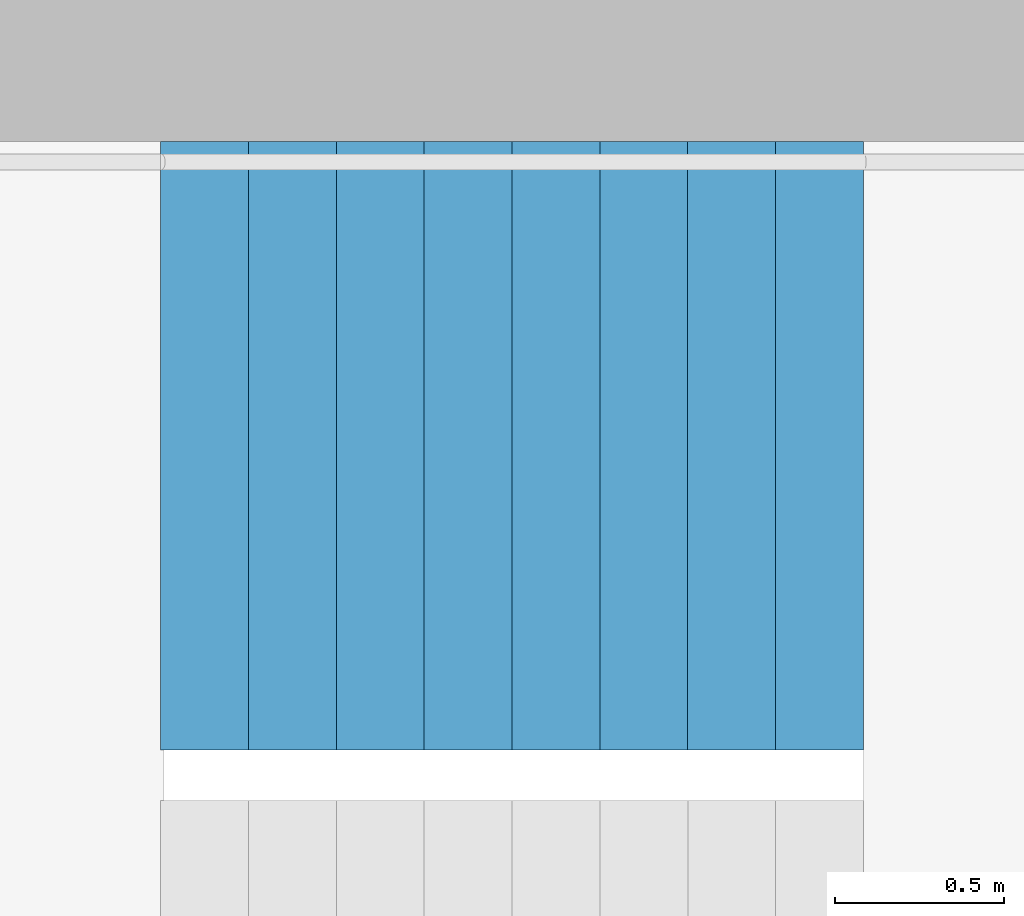
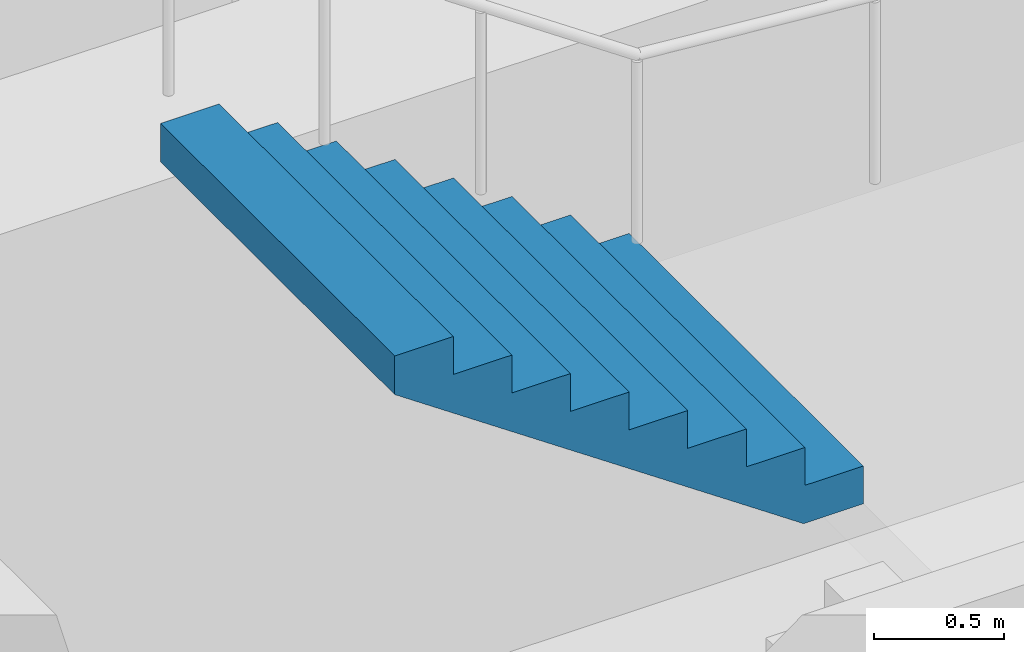
# One storey, part 19 of 28: 1 stair flight, 1 element without a shape of its own.
"""IFC4 building model written with IfcOpenShell, lengths in metres."""

from ifc_helpers import new_model, si_unit, direction, frame, origin, place, context, subcontext, project, spatial, triangles, material, type_object, element, aggregate, save


model = new_model("IFC4")

# Units and contexts
model_context = context("Model", 3, precision=1e-05, world=origin(), true_north=direction((0.0, 1.0)))
body_context = subcontext(model_context, "Body", "Model", "MODEL_VIEW")
ifc_project = project(units=[si_unit("LENGTHUNIT", "METRE"), si_unit("AREAUNIT", "SQUARE_METRE"), si_unit("VOLUMEUNIT", "CUBIC_METRE"), si_unit("PLANEANGLEUNIT", "RADIAN"), si_unit("MASSUNIT", "GRAM", prefix="KILO")], contexts=[model_context])

# Site, building, storey
site_placement = place(None, origin())
site = spatial("IfcSite", under=ifc_project, at=site_placement, CompositionType="ELEMENT")
building_placement = place(site_placement, origin())
building = spatial("IfcBuilding", under=site, at=building_placement, Name="Hakoniwa Tower and Hamabe Station Hall", CompositionType="ELEMENT")
storey_placement = place(building_placement, frame((0.0, 0.0, 193.0)))
storey = spatial("IfcBuildingStorey", under=building, at=storey_placement, Name="L54", CompositionType="ELEMENT", Elevation=193.0)

# Stair, stair flight
ifc_material_1 = material(Name="Concrete C40", Category="concrete")
stair_type = type_object("IfcStairType", Name="ESCAPE STAIR 1800", PredefinedType="HALF_TURN_STAIR", material=ifc_material_1)
stair_placement = place(storey_placement, origin())
stair = element("IfcStair", 1, at=stair_placement, inside=storey, type_object=stair_type, Name="Escape stair ST-1 L54", PredefinedType="HALF_TURN_STAIR")
ifc_material_2 = material(Name="Concrete C40", Category="concrete")
stair_flight_type = type_object("IfcStairFlightType", Name="STAIR FLIGHT 1800", PredefinedType="STRAIGHT", material=ifc_material_2)
stair_flight_placement = place(storey_placement, frame((-22.320068359375, 6.60009765625, 1.60009765625), z_axis=(0.0, 0.0, 1.0), x_axis=(-1.0, 0.0, 0.0)))
stair_flight = element("IfcStairFlight", 2, at=stair_flight_placement, type_object=stair_flight_type, Name="ST-1 flight 2", NumberOfRisers=9, NumberOfTreads=8, PredefinedType="STRAIGHT", RiserHeight=0.177777778, TreadLength=0.26, context=body_context, shape_type="Tessellation", body=[
    triangles([(0.0, 0.89990234375, 0.0), (0.260009765625, 0.89990234375, 0.0), (0.265625, 0.89990234375, 0.0), (0.52001953125, 0.89990234375, 0.174072265625), (0.780029296875, 0.89990234375, 0.351806640625), (1.0400390625, 0.89990234375, 0.529541015625), (1.300048828125, 0.89990234375, 0.707275390625), (1.56005859375, 0.89990234375, 0.885009765625), (1.820068359375, 0.89990234375, 1.062744140625), (2.080078125, 0.89990234375, 1.24072265625), (2.080078125, 0.89990234375, 1.422119140625), (1.820068359375, 0.89990234375, 1.422119140625), (1.820068359375, 0.89990234375, 1.244384765625), (1.56005859375, 0.89990234375, 1.244384765625), (1.56005859375, 0.89990234375, 1.066650390625), (1.300048828125, 0.89990234375, 1.066650390625), (1.300048828125, 0.89990234375, 0.888916015625), (1.0400390625, 0.89990234375, 0.888916015625), (1.0400390625, 0.89990234375, 0.711181640625), (0.780029296875, 0.89990234375, 0.711181640625), (0.780029296875, 0.89990234375, 0.533447265625), (0.52001953125, 0.89990234375, 0.533447265625), (0.52001953125, 0.89990234375, 0.35546875), (0.265625, 0.89990234375, 0.35546875), (0.260009765625, 0.89990234375, 0.35546875), (0.260009765625, 0.89990234375, 0.177734375), (0.0, 0.89990234375, 0.177734375), (0.0, 0.06005859375, 0.0), (0.260009765625, 0.06005859375, 0.0), (0.265625, 0.06005859375, 0.0), (0.52001953125, 0.06005859375, 0.174072265625), (0.780029296875, 0.06005859375, 0.351806640625), (1.0400390625, 0.06005859375, 0.529541015625), (1.300048828125, 0.06005859375, 0.707275390625), (1.56005859375, 0.06005859375, 0.885009765625), (1.820068359375, 0.06005859375, 1.062744140625), (2.080078125, 0.06005859375, 1.24072265625), (2.080078125, 0.06005859375, 1.422119140625), (1.820068359375, 0.06005859375, 1.422119140625), (1.820068359375, 0.06005859375, 1.244384765625), (1.56005859375, 0.06005859375, 1.244384765625), (1.56005859375, 0.06005859375, 1.066650390625), (1.300048828125, 0.06005859375, 1.066650390625), (1.300048828125, 0.06005859375, 0.888916015625), (1.0400390625, 0.06005859375, 0.888916015625), (1.0400390625, 0.06005859375, 0.711181640625), (0.780029296875, 0.06005859375, 0.711181640625), (0.780029296875, 0.06005859375, 0.533447265625), (0.52001953125, 0.06005859375, 0.533447265625), (0.52001953125, 0.06005859375, 0.35546875), (0.265625, 0.06005859375, 0.35546875), (0.260009765625, 0.06005859375, 0.35546875), (0.260009765625, 0.06005859375, 0.177734375), (0.0, 0.06005859375, 0.177734375), (0.0, 0.04296875, 0.0), (0.260009765625, 0.04296875, 0.0), (0.265625, 0.04296875, 0.0), (0.52001953125, 0.04296875, 0.174072265625), (0.780029296875, 0.04296875, 0.351806640625), (1.0400390625, 0.04296875, 0.529541015625), (1.300048828125, 0.04296875, 0.707275390625), (1.56005859375, 0.04296875, 0.885009765625), (1.820068359375, 0.04296875, 1.062744140625), (2.080078125, 0.04296875, 1.24072265625), (2.080078125, 0.04296875, 1.422119140625), (1.820068359375, 0.04296875, 1.422119140625), (1.820068359375, 0.04296875, 1.244384765625), (1.56005859375, 0.04296875, 1.244384765625), (1.56005859375, 0.04296875, 1.066650390625), (1.300048828125, 0.04296875, 1.066650390625), (1.300048828125, 0.04296875, 0.888916015625), (1.0400390625, 0.04296875, 0.888916015625), (1.0400390625, 0.04296875, 0.711181640625), (0.780029296875, 0.04296875, 0.711181640625), (0.780029296875, 0.04296875, 0.533447265625), (0.52001953125, 0.04296875, 0.533447265625), (0.52001953125, 0.04296875, 0.35546875), (0.265625, 0.04296875, 0.35546875), (0.260009765625, 0.04296875, 0.35546875), (0.260009765625, 0.04296875, 0.177734375), (0.0, 0.04296875, 0.177734375), (0.0, 0.025634765625, 0.0), (0.260009765625, 0.025634765625, 0.0), (0.265625, 0.025634765625, 0.0), (0.52001953125, 0.025634765625, 0.174072265625), (0.780029296875, 0.025634765625, 0.351806640625), (1.0400390625, 0.025634765625, 0.529541015625), (1.300048828125, 0.025634765625, 0.707275390625), (1.56005859375, 0.025634765625, 0.885009765625), (1.820068359375, 0.025634765625, 1.062744140625), (2.080078125, 0.025634765625, 1.24072265625), (2.080078125, 0.025634765625, 1.422119140625), (1.820068359375, 0.025634765625, 1.422119140625), (1.820068359375, 0.025634765625, 1.244384765625), (1.56005859375, 0.025634765625, 1.244384765625), (1.56005859375, 0.025634765625, 1.066650390625), (1.300048828125, 0.025634765625, 1.066650390625), (1.300048828125, 0.025634765625, 0.888916015625), (1.0400390625, 0.025634765625, 0.888916015625), (1.0400390625, 0.025634765625, 0.711181640625), (0.780029296875, 0.025634765625, 0.711181640625), (0.780029296875, 0.025634765625, 0.533447265625), (0.52001953125, 0.025634765625, 0.533447265625), (0.52001953125, 0.025634765625, 0.35546875), (0.265625, 0.025634765625, 0.35546875), (0.260009765625, 0.025634765625, 0.35546875), (0.260009765625, 0.025634765625, 0.177734375), (0.0, 0.025634765625, 0.177734375), (0.0, 0.008544921875, 0.0), (0.260009765625, 0.008544921875, 0.0), (0.265625, 0.008544921875, 0.0), (0.52001953125, 0.008544921875, 0.174072265625), (0.780029296875, 0.008544921875, 0.351806640625), (1.0400390625, 0.008544921875, 0.529541015625), (1.300048828125, 0.008544921875, 0.707275390625), (1.56005859375, 0.008544921875, 0.885009765625), (1.820068359375, 0.008544921875, 1.062744140625), (2.080078125, 0.008544921875, 1.24072265625), (2.080078125, 0.008544921875, 1.422119140625), (1.820068359375, 0.008544921875, 1.422119140625), (1.820068359375, 0.008544921875, 1.244384765625), (1.56005859375, 0.008544921875, 1.244384765625), (1.56005859375, 0.008544921875, 1.066650390625), (1.300048828125, 0.008544921875, 1.066650390625), (1.300048828125, 0.008544921875, 0.888916015625), (1.0400390625, 0.008544921875, 0.888916015625), (1.0400390625, 0.008544921875, 0.711181640625), (0.780029296875, 0.008544921875, 0.711181640625), (0.780029296875, 0.008544921875, 0.533447265625), (0.52001953125, 0.008544921875, 0.533447265625), (0.52001953125, 0.008544921875, 0.35546875), (0.265625, 0.008544921875, 0.35546875), (0.260009765625, 0.008544921875, 0.35546875), (0.260009765625, 0.008544921875, 0.177734375), (0.0, 0.008544921875, 0.177734375), (0.0, -0.008544921875, 0.0), (0.260009765625, -0.008544921875, 0.0), (0.265625, -0.008544921875, 0.0), (0.52001953125, -0.008544921875, 0.174072265625), (0.780029296875, -0.008544921875, 0.351806640625), (1.0400390625, -0.008544921875, 0.529541015625), (1.300048828125, -0.008544921875, 0.707275390625), (1.56005859375, -0.008544921875, 0.885009765625), (1.820068359375, -0.008544921875, 1.062744140625), (2.080078125, -0.008544921875, 1.24072265625), (2.080078125, -0.008544921875, 1.422119140625), (1.820068359375, -0.008544921875, 1.422119140625), (1.820068359375, -0.008544921875, 1.244384765625), (1.56005859375, -0.008544921875, 1.244384765625), (1.56005859375, -0.008544921875, 1.066650390625), (1.300048828125, -0.008544921875, 1.066650390625), (1.300048828125, -0.008544921875, 0.888916015625), (1.0400390625, -0.008544921875, 0.888916015625), (1.0400390625, -0.008544921875, 0.711181640625), (0.780029296875, -0.008544921875, 0.711181640625), (0.780029296875, -0.008544921875, 0.533447265625), (0.52001953125, -0.008544921875, 0.533447265625), (0.52001953125, -0.008544921875, 0.35546875), (0.265625, -0.008544921875, 0.35546875), (0.260009765625, -0.008544921875, 0.35546875), (0.260009765625, -0.008544921875, 0.177734375), (0.0, -0.008544921875, 0.177734375), (0.0, -0.025634765625, 0.0), (0.260009765625, -0.025634765625, 0.0), (0.265625, -0.025634765625, 0.0), (0.52001953125, -0.025634765625, 0.174072265625), (0.780029296875, -0.025634765625, 0.351806640625), (1.0400390625, -0.025634765625, 0.529541015625), (1.300048828125, -0.025634765625, 0.707275390625), (1.56005859375, -0.025634765625, 0.885009765625), (1.820068359375, -0.025634765625, 1.062744140625), (2.080078125, -0.025634765625, 1.24072265625), (2.080078125, -0.025634765625, 1.422119140625), (1.820068359375, -0.025634765625, 1.422119140625), (1.820068359375, -0.025634765625, 1.244384765625), (1.56005859375, -0.025634765625, 1.244384765625), (1.56005859375, -0.025634765625, 1.066650390625), (1.300048828125, -0.025634765625, 1.066650390625), (1.300048828125, -0.025634765625, 0.888916015625), (1.0400390625, -0.025634765625, 0.888916015625), (1.0400390625, -0.025634765625, 0.711181640625), (0.780029296875, -0.025634765625, 0.711181640625), (0.780029296875, -0.025634765625, 0.533447265625), (0.52001953125, -0.025634765625, 0.533447265625), (0.52001953125, -0.025634765625, 0.35546875), (0.265625, -0.025634765625, 0.35546875), (0.260009765625, -0.025634765625, 0.35546875), (0.260009765625, -0.025634765625, 0.177734375), (0.0, -0.025634765625, 0.177734375), (0.0, -0.04296875, 0.0), (0.260009765625, -0.04296875, 0.0), (0.265625, -0.04296875, 0.0), (0.52001953125, -0.04296875, 0.174072265625), (0.780029296875, -0.04296875, 0.351806640625), (1.0400390625, -0.04296875, 0.529541015625), (1.300048828125, -0.04296875, 0.707275390625), (1.56005859375, -0.04296875, 0.885009765625), (1.820068359375, -0.04296875, 1.062744140625), (2.080078125, -0.04296875, 1.24072265625), (2.080078125, -0.04296875, 1.422119140625), (1.820068359375, -0.04296875, 1.422119140625), (1.820068359375, -0.04296875, 1.244384765625), (1.56005859375, -0.04296875, 1.244384765625), (1.56005859375, -0.04296875, 1.066650390625), (1.300048828125, -0.04296875, 1.066650390625), (1.300048828125, -0.04296875, 0.888916015625), (1.0400390625, -0.04296875, 0.888916015625), (1.0400390625, -0.04296875, 0.711181640625), (0.780029296875, -0.04296875, 0.711181640625), (0.780029296875, -0.04296875, 0.533447265625), (0.52001953125, -0.04296875, 0.533447265625), (0.52001953125, -0.04296875, 0.35546875), (0.265625, -0.04296875, 0.35546875), (0.260009765625, -0.04296875, 0.35546875), (0.260009765625, -0.04296875, 0.177734375), (0.0, -0.04296875, 0.177734375), (0.0, -0.06005859375, 0.0), (0.260009765625, -0.06005859375, 0.0), (0.265625, -0.06005859375, 0.0), (0.52001953125, -0.06005859375, 0.174072265625), (0.780029296875, -0.06005859375, 0.351806640625), (1.0400390625, -0.06005859375, 0.529541015625), (1.300048828125, -0.06005859375, 0.707275390625), (1.56005859375, -0.06005859375, 0.885009765625), (1.820068359375, -0.06005859375, 1.062744140625), (2.080078125, -0.06005859375, 1.24072265625), (2.080078125, -0.06005859375, 1.422119140625), (1.820068359375, -0.06005859375, 1.422119140625), (1.820068359375, -0.06005859375, 1.244384765625), (1.56005859375, -0.06005859375, 1.244384765625), (1.56005859375, -0.06005859375, 1.066650390625), (1.300048828125, -0.06005859375, 1.066650390625), (1.300048828125, -0.06005859375, 0.888916015625), (1.0400390625, -0.06005859375, 0.888916015625), (1.0400390625, -0.06005859375, 0.711181640625), (0.780029296875, -0.06005859375, 0.711181640625), (0.780029296875, -0.06005859375, 0.533447265625), (0.52001953125, -0.06005859375, 0.533447265625), (0.52001953125, -0.06005859375, 0.35546875), (0.265625, -0.06005859375, 0.35546875), (0.260009765625, -0.06005859375, 0.35546875), (0.260009765625, -0.06005859375, 0.177734375), (0.0, -0.06005859375, 0.177734375), (0.0, -0.89990234375, 0.0), (0.260009765625, -0.89990234375, 0.0), (0.265625, -0.89990234375, 0.0), (0.52001953125, -0.89990234375, 0.174072265625), (0.780029296875, -0.89990234375, 0.351806640625), (1.0400390625, -0.89990234375, 0.529541015625), (1.300048828125, -0.89990234375, 0.707275390625), (1.56005859375, -0.89990234375, 0.885009765625), (1.820068359375, -0.89990234375, 1.062744140625), (2.080078125, -0.89990234375, 1.24072265625), (2.080078125, -0.89990234375, 1.422119140625), (1.820068359375, -0.89990234375, 1.422119140625), (1.820068359375, -0.89990234375, 1.244384765625), (1.56005859375, -0.89990234375, 1.244384765625), (1.56005859375, -0.89990234375, 1.066650390625), (1.300048828125, -0.89990234375, 1.066650390625), (1.300048828125, -0.89990234375, 0.888916015625), (1.0400390625, -0.89990234375, 0.888916015625), (1.0400390625, -0.89990234375, 0.711181640625), (0.780029296875, -0.89990234375, 0.711181640625), (0.780029296875, -0.89990234375, 0.533447265625), (0.52001953125, -0.89990234375, 0.533447265625), (0.52001953125, -0.89990234375, 0.35546875), (0.265625, -0.89990234375, 0.35546875), (0.260009765625, -0.89990234375, 0.35546875), (0.260009765625, -0.89990234375, 0.177734375), (0.0, -0.89990234375, 0.177734375)], [[2, 27, 26], [245, 269, 270], [2, 1, 27], [245, 270, 244], [3, 25, 24], [246, 267, 268], [3, 26, 25], [246, 268, 269], [3, 2, 26], [246, 269, 245], [4, 24, 23], [247, 266, 267], [4, 3, 24], [247, 267, 246], [5, 22, 21], [248, 264, 265], [5, 23, 22], [248, 265, 266], [5, 4, 23], [248, 266, 247], [6, 20, 19], [249, 262, 263], [6, 21, 20], [249, 263, 264], [6, 5, 21], [249, 264, 248], [7, 18, 17], [250, 260, 261], [7, 19, 18], [250, 261, 262], [7, 6, 19], [250, 262, 249], [8, 16, 15], [251, 258, 259], [8, 17, 16], [251, 259, 260], [8, 7, 17], [251, 260, 250], [9, 14, 13], [252, 256, 257], [9, 15, 14], [252, 257, 258], [9, 8, 15], [252, 258, 251], [10, 12, 11], [253, 254, 255], [10, 13, 12], [253, 255, 256], [10, 9, 13], [253, 256, 252], [1, 2, 29], [1, 29, 28], [28, 29, 56], [28, 56, 55], [55, 56, 83], [55, 83, 82], [82, 83, 110], [82, 110, 109], [109, 110, 137], [109, 137, 136], [136, 137, 164], [136, 164, 163], [163, 164, 191], [163, 191, 190], [190, 191, 218], [190, 218, 217], [217, 218, 245], [217, 245, 244], [2, 3, 30], [2, 30, 29], [29, 30, 57], [29, 57, 56], [56, 57, 84], [56, 84, 83], [83, 84, 111], [83, 111, 110], [110, 111, 138], [110, 138, 137], [137, 138, 165], [137, 165, 164], [164, 165, 192], [164, 192, 191], [191, 192, 219], [191, 219, 218], [218, 219, 246], [218, 246, 245], [3, 4, 31], [3, 31, 30], [30, 31, 58], [30, 58, 57], [57, 58, 85], [57, 85, 84], [84, 85, 112], [84, 112, 111], [111, 112, 139], [111, 139, 138], [138, 139, 166], [138, 166, 165], [165, 166, 193], [165, 193, 192], [192, 193, 220], [192, 220, 219], [219, 220, 247], [219, 247, 246], [4, 5, 32], [4, 32, 31], [31, 32, 59], [31, 59, 58], [58, 59, 86], [58, 86, 85], [85, 86, 113], [85, 113, 112], [112, 113, 140], [112, 140, 139], [139, 140, 167], [139, 167, 166], [166, 167, 194], [166, 194, 193], [193, 194, 221], [193, 221, 220], [220, 221, 248], [220, 248, 247], [5, 6, 33], [5, 33, 32], [32, 33, 60], [32, 60, 59], [59, 60, 87], [59, 87, 86], [86, 87, 114], [86, 114, 113], [113, 114, 141], [113, 141, 140], [140, 141, 168], [140, 168, 167], [167, 168, 195], [167, 195, 194], [194, 195, 222], [194, 222, 221], [221, 222, 249], [221, 249, 248], [6, 7, 34], [6, 34, 33], [33, 34, 61], [33, 61, 60], [60, 61, 88], [60, 88, 87], [87, 88, 115], [87, 115, 114], [114, 115, 142], [114, 142, 141], [141, 142, 169], [141, 169, 168], [168, 169, 196], [168, 196, 195], [195, 196, 223], [195, 223, 222], [222, 223, 250], [222, 250, 249], [7, 8, 35], [7, 35, 34], [34, 35, 62], [34, 62, 61], [61, 62, 89], [61, 89, 88], [88, 89, 116], [88, 116, 115], [115, 116, 143], [115, 143, 142], [142, 143, 170], [142, 170, 169], [169, 170, 197], [169, 197, 196], [196, 197, 224], [196, 224, 223], [223, 224, 251], [223, 251, 250], [8, 9, 36], [8, 36, 35], [35, 36, 63], [35, 63, 62], [62, 63, 90], [62, 90, 89], [89, 90, 117], [89, 117, 116], [116, 117, 144], [116, 144, 143], [143, 144, 171], [143, 171, 170], [170, 171, 198], [170, 198, 197], [197, 198, 225], [197, 225, 224], [224, 225, 252], [224, 252, 251], [9, 10, 37], [9, 37, 36], [36, 37, 64], [36, 64, 63], [63, 64, 91], [63, 91, 90], [90, 91, 118], [90, 118, 117], [117, 118, 145], [117, 145, 144], [144, 145, 172], [144, 172, 171], [171, 172, 199], [171, 199, 198], [198, 199, 226], [198, 226, 225], [225, 226, 253], [225, 253, 252], [10, 11, 38], [10, 38, 37], [37, 38, 65], [37, 65, 64], [64, 65, 92], [64, 92, 91], [91, 92, 119], [91, 119, 118], [118, 119, 146], [118, 146, 145], [145, 146, 173], [145, 173, 172], [172, 173, 200], [172, 200, 199], [199, 200, 227], [199, 227, 226], [226, 227, 254], [226, 254, 253], [11, 12, 39], [11, 39, 38], [38, 39, 66], [38, 66, 65], [65, 66, 93], [65, 93, 92], [92, 93, 120], [92, 120, 119], [119, 120, 147], [119, 147, 146], [146, 147, 174], [146, 174, 173], [173, 174, 201], [173, 201, 200], [200, 201, 228], [200, 228, 227], [227, 228, 255], [227, 255, 254], [12, 13, 40], [12, 40, 39], [39, 40, 67], [39, 67, 66], [66, 67, 94], [66, 94, 93], [93, 94, 121], [93, 121, 120], [120, 121, 148], [120, 148, 147], [147, 148, 175], [147, 175, 174], [174, 175, 202], [174, 202, 201], [201, 202, 229], [201, 229, 228], [228, 229, 256], [228, 256, 255], [13, 14, 41], [13, 41, 40], [40, 41, 68], [40, 68, 67], [67, 68, 95], [67, 95, 94], [94, 95, 122], [94, 122, 121], [121, 122, 149], [121, 149, 148], [148, 149, 176], [148, 176, 175], [175, 176, 203], [175, 203, 202], [202, 203, 230], [202, 230, 229], [229, 230, 257], [229, 257, 256], [14, 15, 42], [14, 42, 41], [41, 42, 69], [41, 69, 68], [68, 69, 96], [68, 96, 95], [95, 96, 123], [95, 123, 122], [122, 123, 150], [122, 150, 149], [149, 150, 177], [149, 177, 176], [176, 177, 204], [176, 204, 203], [203, 204, 231], [203, 231, 230], [230, 231, 258], [230, 258, 257], [15, 16, 43], [15, 43, 42], [42, 43, 70], [42, 70, 69], [69, 70, 97], [69, 97, 96], [96, 97, 124], [96, 124, 123], [123, 124, 151], [123, 151, 150], [150, 151, 178], [150, 178, 177], [177, 178, 205], [177, 205, 204], [204, 205, 232], [204, 232, 231], [231, 232, 259], [231, 259, 258], [16, 17, 44], [16, 44, 43], [43, 44, 71], [43, 71, 70], [70, 71, 98], [70, 98, 97], [97, 98, 125], [97, 125, 124], [124, 125, 152], [124, 152, 151], [151, 152, 179], [151, 179, 178], [178, 179, 206], [178, 206, 205], [205, 206, 233], [205, 233, 232], [232, 233, 260], [232, 260, 259], [17, 18, 45], [17, 45, 44], [44, 45, 72], [44, 72, 71], [71, 72, 99], [71, 99, 98], [98, 99, 126], [98, 126, 125], [125, 126, 153], [125, 153, 152], [152, 153, 180], [152, 180, 179], [179, 180, 207], [179, 207, 206], [206, 207, 234], [206, 234, 233], [233, 234, 261], [233, 261, 260], [18, 19, 46], [18, 46, 45], [45, 46, 73], [45, 73, 72], [72, 73, 100], [72, 100, 99], [99, 100, 127], [99, 127, 126], [126, 127, 154], [126, 154, 153], [153, 154, 181], [153, 181, 180], [180, 181, 208], [180, 208, 207], [207, 208, 235], [207, 235, 234], [234, 235, 262], [234, 262, 261], [19, 20, 47], [19, 47, 46], [46, 47, 74], [46, 74, 73], [73, 74, 101], [73, 101, 100], [100, 101, 128], [100, 128, 127], [127, 128, 155], [127, 155, 154], [154, 155, 182], [154, 182, 181], [181, 182, 209], [181, 209, 208], [208, 209, 236], [208, 236, 235], [235, 236, 263], [235, 263, 262], [20, 21, 48], [20, 48, 47], [47, 48, 75], [47, 75, 74], [74, 75, 102], [74, 102, 101], [101, 102, 129], [101, 129, 128], [128, 129, 156], [128, 156, 155], [155, 156, 183], [155, 183, 182], [182, 183, 210], [182, 210, 209], [209, 210, 237], [209, 237, 236], [236, 237, 264], [236, 264, 263], [21, 22, 49], [21, 49, 48], [48, 49, 76], [48, 76, 75], [75, 76, 103], [75, 103, 102], [102, 103, 130], [102, 130, 129], [129, 130, 157], [129, 157, 156], [156, 157, 184], [156, 184, 183], [183, 184, 211], [183, 211, 210], [210, 211, 238], [210, 238, 237], [237, 238, 265], [237, 265, 264], [22, 23, 50], [22, 50, 49], [49, 50, 77], [49, 77, 76], [76, 77, 104], [76, 104, 103], [103, 104, 131], [103, 131, 130], [130, 131, 158], [130, 158, 157], [157, 158, 185], [157, 185, 184], [184, 185, 212], [184, 212, 211], [211, 212, 239], [211, 239, 238], [238, 239, 266], [238, 266, 265], [23, 24, 51], [23, 51, 50], [50, 51, 78], [50, 78, 77], [77, 78, 105], [77, 105, 104], [104, 105, 132], [104, 132, 131], [131, 132, 159], [131, 159, 158], [158, 159, 186], [158, 186, 185], [185, 186, 213], [185, 213, 212], [212, 213, 240], [212, 240, 239], [239, 240, 267], [239, 267, 266], [24, 25, 52], [24, 52, 51], [51, 52, 79], [51, 79, 78], [78, 79, 106], [78, 106, 105], [105, 106, 133], [105, 133, 132], [132, 133, 160], [132, 160, 159], [159, 160, 187], [159, 187, 186], [186, 187, 214], [186, 214, 213], [213, 214, 241], [213, 241, 240], [240, 241, 268], [240, 268, 267], [25, 26, 53], [25, 53, 52], [52, 53, 80], [52, 80, 79], [79, 80, 107], [79, 107, 106], [106, 107, 134], [106, 134, 133], [133, 134, 161], [133, 161, 160], [160, 161, 188], [160, 188, 187], [187, 188, 215], [187, 215, 214], [214, 215, 242], [214, 242, 241], [241, 242, 269], [241, 269, 268], [26, 27, 54], [26, 54, 53], [53, 54, 81], [53, 81, 80], [80, 81, 108], [80, 108, 107], [107, 108, 135], [107, 135, 134], [134, 135, 162], [134, 162, 161], [161, 162, 189], [161, 189, 188], [188, 189, 216], [188, 216, 215], [215, 216, 243], [215, 243, 242], [242, 243, 270], [242, 270, 269], [27, 1, 28], [27, 28, 54], [54, 28, 55], [54, 55, 81], [81, 55, 82], [81, 82, 108], [108, 82, 109], [108, 109, 135], [135, 109, 136], [135, 136, 162], [162, 136, 163], [162, 163, 189], [189, 163, 190], [189, 190, 216], [216, 190, 217], [216, 217, 243], [243, 217, 244], [243, 244, 270]], closed=True),
])
aggregate(stair, [stair_flight])

save(model, "model.ifc")
